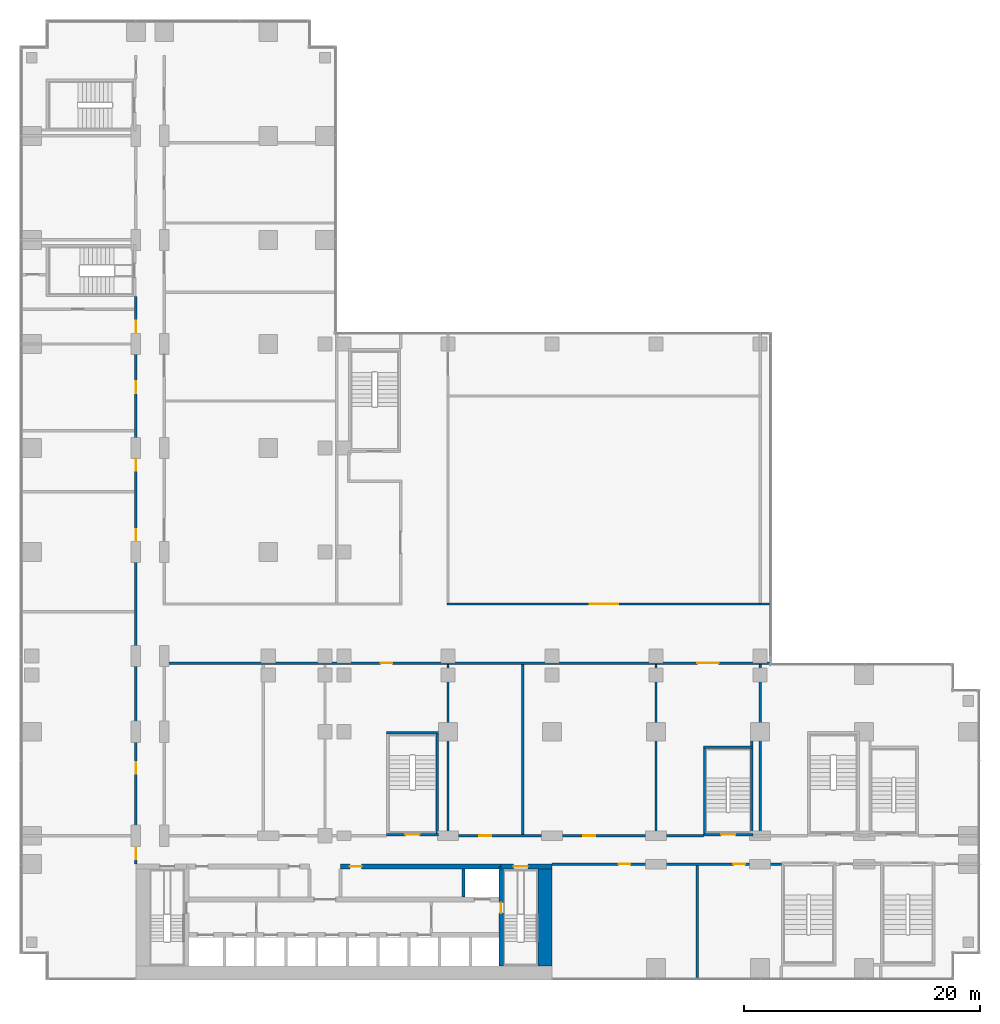
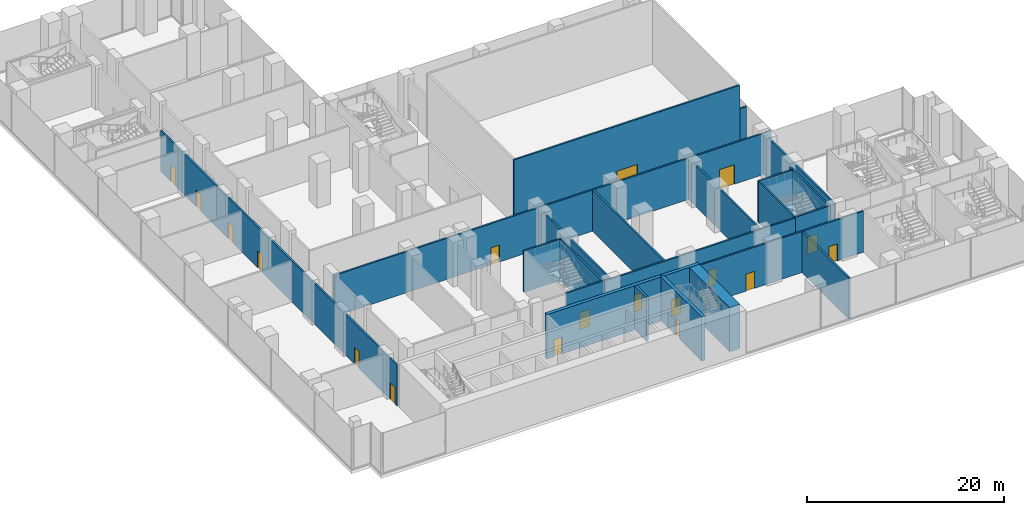
# One storey, part 19 of 30: 23 walls, 18 doors, 18 openings.
"""IFC4 building model written with IfcOpenShell, lengths in metres."""

import ifcopenshell
import ifcopenshell.guid

model = None  # the IFC model being written
_history = None  # IfcOwnerHistory: only IFC2X3 demands one
_inside = {}  # id of a spatial element -> (the spatial element, [elements in it])
_under = {}  # id of a project, library or spatial element -> (it, [spatial elements below it])
_declared = {}  # id of a project -> (the project, [libraries it declares])
_typed = {}  # id of a type object -> (the type object, [elements of that type])
_made_of = {}  # id of a material, layer set ... -> (it, [elements and type objects made of it])


def new_model(schema):
    """Start an empty IFC model of exactly this schema.

    Asked for "IFC4X3", IfcOpenShell would pick the latest addendum, in which some entities
    have other attributes; the version numbers below select the first issue.
    IFC2X3 requires an IfcOwnerHistory on every rooted entity: one is made here for all.
    """
    global model, _history
    if schema == "IFC4X3":
        model = ifcopenshell.file(schema_version=(4, 3, 0, 0))
    else:
        model = ifcopenshell.file(schema=schema)
    _inside.clear()
    _under.clear()
    _declared.clear()
    _typed.clear()
    _made_of.clear()
    _history = None
    if model.schema == "IFC2X3":
        org = make("IfcOrganization", Name="unknown")
        user = make(
            "IfcPersonAndOrganization",
            ThePerson=make("IfcPerson", FamilyName="unknown"),
            TheOrganization=org,
        )
        app = make(
            "IfcApplication",
            ApplicationDeveloper=org,
            Version="unknown",
            ApplicationFullName="unknown",
            ApplicationIdentifier="unknown",
        )
        _history = make(
            "IfcOwnerHistory",
            OwningUser=user,
            OwningApplication=app,
            ChangeAction="ADDED",
            CreationDate=0,
        )
    return model


def make(cls, **values):
    """One entity of the class cls with the attributes given. An attribute that is None is left unset."""
    return model.create_entity(
        cls, **{name: value for name, value in values.items() if value is not None}
    )


def rooted(cls, **values):
    """An entity with a GlobalId (a new one), such as an element, a storey or a relation."""
    return make(cls, GlobalId=ifcopenshell.guid.new(), OwnerHistory=_history, **values)


def si_unit(unit_type, name, prefix=None):
    """IfcSIUnit, for example si_unit("LENGTHUNIT", "METRE", prefix="MILLI")."""
    return make("IfcSIUnit", UnitType=unit_type, Prefix=prefix, Name=name)


def assignment(units):
    """IfcUnitAssignment: the units of a project."""
    return None if units is None else make("IfcUnitAssignment", Units=units)


def point(xyz):
    """IfcCartesianPoint."""
    return None if xyz is None else make("IfcCartesianPoint", Coordinates=xyz)


def direction(xyz):
    """IfcDirection."""
    return None if xyz is None else make("IfcDirection", DirectionRatios=xyz)


def frame(location, z_axis=None, x_axis=None):
    """IfcAxis2Placement3D, a coordinate frame: its origin and axes. An axis left out is left unset."""
    return make(
        "IfcAxis2Placement3D",
        Location=point(location),
        Axis=direction(z_axis),
        RefDirection=direction(x_axis),
    )


def frame_2d(location, x_axis=None):
    """IfcAxis2Placement2D, a coordinate frame in the plane: its origin and x axis."""
    return make(
        "IfcAxis2Placement2D", Location=point(location), RefDirection=direction(x_axis)
    )


def origin():
    """The frame at (0, 0, 0) with its axes left unset."""
    return frame((0.0, 0.0, 0.0))


def place(relative_to, where):
    """IfcLocalPlacement: puts the frame where relative to a parent placement (None: the world)."""
    return make(
        "IfcLocalPlacement", PlacementRelTo=relative_to, RelativePlacement=where
    )


def context(
    kind, dimensions, precision=None, world=None, true_north=None, identifier=None
):
    """IfcGeometricRepresentationContext, for example the 3D "Model" context."""
    return make(
        "IfcGeometricRepresentationContext",
        ContextIdentifier=identifier,
        ContextType=kind,
        CoordinateSpaceDimension=dimensions,
        Precision=precision,
        WorldCoordinateSystem=world,
        TrueNorth=true_north,
    )


def subcontext(parent, identifier, kind, view, scale=None):
    """IfcGeometricRepresentationSubContext, for example "Body" below "Model"."""
    return make(
        "IfcGeometricRepresentationSubContext",
        ContextIdentifier=identifier,
        ContextType=kind,
        ParentContext=parent,
        TargetScale=scale,
        TargetView=view,
    )


def project(units=None, contexts=None):
    """IfcProject with its units and contexts."""
    return rooted(
        "IfcProject",
        Name="project",
        RepresentationContexts=contexts,
        UnitsInContext=assignment(units),
    )


def spatial(cls, under=None, at=None, **own):
    """A site, building, storey or space (cls), placed at a placement, below another one or the project."""
    s = rooted(cls, ObjectPlacement=at, **own)
    if under is not None:
        _under.setdefault(under.id(), (under, []))[1].append(s)
    return s


def profile(cls, at=None, kind="AREA", **sizes):
    """A parametric profile (cls). Its sizes go by their IFC names, for example OverallWidth=200.0."""
    return make(cls, ProfileType=kind, Position=at, **sizes)


def rectangle(**sizes):
    """IfcRectangleProfileDef."""
    return profile("IfcRectangleProfileDef", **sizes)


def extrude(swept, where, along, depth):
    """IfcExtrudedAreaSolid: the profile swept, set in the frame where, extruded along a direction by depth."""
    return make(
        "IfcExtrudedAreaSolid",
        SweptArea=swept,
        Position=where,
        ExtrudedDirection=direction(along),
        Depth=depth,
    )


def shape(context_of_items, identifier, shape_type, items):
    """IfcShapeRepresentation: the items that make up one representation, for example the "Body"."""
    return make(
        "IfcShapeRepresentation",
        ContextOfItems=context_of_items,
        RepresentationIdentifier=identifier,
        RepresentationType=shape_type,
        Items=items,
    )


def material(Name=None, Category=None):
    """IfcMaterial."""
    return make("IfcMaterial", Name=Name, Category=Category)


def layer(
    of_material, thickness, ventilated=None, Name=None, Category=None, Priority=None
):
    """IfcMaterialLayer: one layer of a wall or slab, of a material (None: an air gap)."""
    return make(
        "IfcMaterialLayer",
        Material=of_material,
        LayerThickness=thickness,
        IsVentilated=ventilated,
        Name=Name,
        Category=Category,
        Priority=Priority,
    )


def layer_set(layers, Name=None):
    """IfcMaterialLayerSet."""
    return make("IfcMaterialLayerSet", MaterialLayers=layers, LayerSetName=Name)


def made_of(thing, what):
    """Note that an element or type object is made of a material, layer set ...; save() writes the relation."""
    if what is not None:
        _made_of.setdefault(what.id(), (what, []))[1].append(thing)
    return thing


def type_object(cls, material=None, **own):
    """A type object (cls), such as IfcWallType, which elements share."""
    return made_of(rooted(cls, **own), material)


def element(
    cls,
    number,
    at=None,
    inside=None,
    cuts=None,
    type_object=None,
    material=None,
    context=None,
    identifier="Body",
    shape_type=None,
    held_by="IfcProductDefinitionShape",
    body=None,
    shapes=None,
    **own,
):
    """One element of the class cls, such as IfcWall. Its Tag is "e" and its number.

    at: its placement. inside: the storey or other place that contains it. cuts: it is an
    opening in that element (IfcRelVoidsElement). A single representation is given by context,
    identifier, shape_type and body (its items); several are given by shapes. held_by: the class
    of the entity that holds the representations. save() writes the other relations.
    """
    e = rooted(cls, Tag="e%d" % number, ObjectPlacement=at, **own)
    if body is not None:
        shapes = [shape(context, identifier, shape_type, body)]
    if shapes is not None:
        e.Representation = make(held_by, Representations=shapes)
    if inside is not None:
        _inside.setdefault(inside.id(), (inside, []))[1].append(e)
    if cuts is not None:
        rooted(
            "IfcRelVoidsElement", RelatingBuildingElement=cuts, RelatedOpeningElement=e
        )
    if type_object is not None:
        _typed.setdefault(type_object.id(), (type_object, []))[1].append(e)
    return made_of(e, material)


def fill(opening, filler):
    """IfcRelFillsElement: the door or window that sits in an opening."""
    return rooted(
        "IfcRelFillsElement",
        RelatingOpeningElement=opening,
        RelatedBuildingElement=filler,
    )


def aggregate(whole, parts):
    """IfcRelAggregates: a whole, such as a stair, and the parts it consists of."""
    return rooted("IfcRelAggregates", RelatingObject=whole, RelatedObjects=parts)


def save(model, path):
    """Write the relations noted so far, then the file.

    IfcRelAggregates (storeys below a building ...), IfcRelContainedInSpatialStructure (elements
    in a storey), IfcRelDefinesByType, IfcRelAssociatesMaterial and IfcRelDeclares: one each for
    every whole, place, type object, material and project.
    """
    for whole, parts in _under.values():
        aggregate(whole, parts)
    for where, things in _inside.values():
        rooted(
            "IfcRelContainedInSpatialStructure",
            RelatedElements=things,
            RelatingStructure=where,
        )
    for kind, things in _typed.values():
        rooted("IfcRelDefinesByType", RelatedObjects=things, RelatingType=kind)
    for what, things in _made_of.values():
        rooted("IfcRelAssociatesMaterial", RelatedObjects=things, RelatingMaterial=what)
    for by, libraries in _declared.values():
        rooted("IfcRelDeclares", RelatingContext=by, RelatedDefinitions=libraries)
    model.write(path)


model = new_model("IFC4")

# Units and contexts
model_context = context("Model", 3, precision=1e-05, world=origin(), true_north=direction((0.0, 1.0)))
body_context = subcontext(model_context, "Body", "Model", "MODEL_VIEW")
ifc_project = project(units=[si_unit("LENGTHUNIT", "METRE"), si_unit("AREAUNIT", "SQUARE_METRE"), si_unit("VOLUMEUNIT", "CUBIC_METRE"), si_unit("PLANEANGLEUNIT", "RADIAN"), si_unit("MASSUNIT", "GRAM", prefix="KILO")], contexts=[model_context])

# Site, building, storey
site_placement = place(None, origin())
site = spatial("IfcSite", under=ifc_project, at=site_placement, CompositionType="ELEMENT")
building_placement = place(site_placement, origin())
building = spatial("IfcBuilding", under=site, at=building_placement, Name="Kemantara Hotel Tower", CompositionType="ELEMENT")
storey_placement = place(building_placement, frame((0.0, 0.0, 18.0)))
storey = spatial("IfcBuildingStorey", under=building, at=storey_placement, Name="L03", CompositionType="ELEMENT", Elevation=18.0)

# Walls
ifc_material_1 = material(Name="Concrete fc 70 MPa", Category="concrete")
ifc_layer_1 = layer(ifc_material_1, 1.199951171875)
ifc_layer_set_1 = layer_set([ifc_layer_1], Name="Concrete fc 70 MPa")
wall_type_1 = type_object("IfcWallType", Name="CORE WALL 1200 FC70", PredefinedType="SHEAR", material=ifc_layer_set_1)
wall_1_placement = place(storey_placement, frame((44.39990234375, 1.199951171875, 0.0), z_axis=(0.0, 0.0, 1.0), x_axis=(0.0, 1.0, 0.0)))
element("IfcWall", 1, at=wall_1_placement, inside=storey, type_object=wall_type_1, Name="CORE WALL CW-E", PredefinedType="SHEAR", context=body_context, shape_type="SweptSolid", body=[
    extrude(rectangle(XDim=8.60009765625, YDim=1.199951171875, at=frame_2d((4.300048828125, 0.0))), origin(), (0.0, 0.0, 1.0), 5.5),
])
ifc_layer_2 = layer(ifc_material_1, 0.25)
ifc_layer_set_2 = layer_set([ifc_layer_2], Name="Concrete fc 70 MPa")
wall_type_2 = type_object("IfcWallType", Name="CORE WALL 250 FC70", PredefinedType="SHEAR", material=ifc_layer_set_2)
wall_2_placement = place(storey_placement, frame((37.5, 7.0, 0.0), z_axis=(0.0, 0.0, 1.0), x_axis=(0.0, 1.0, 0.0)))
element("IfcWall", 2, at=wall_2_placement, inside=storey, type_object=wall_type_2, Name="CORE WALL CW-DN37.5", PredefinedType="SHEAR", context=body_context, shape_type="SweptSolid", body=[
    extrude(rectangle(XDim=2.39990234375, YDim=0.25, at=frame_2d((1.199951171875, 0.0))), origin(), (0.0, 0.0, 1.0), 5.5),
])

# Wall, opening, door
ifc_layer_3 = layer(ifc_material_1, 0.39990234375)
ifc_layer_set_3 = layer_set([ifc_layer_3], Name="Concrete fc 70 MPa")
wall_type_3 = type_object("IfcWallType", Name="CORE WALL 400 FC70", PredefinedType="SHEAR", material=ifc_layer_set_3)
wall_3_placement = place(storey_placement, frame((40.699951171875, 9.60009765625, 0.0), z_axis=(0.0, 0.0, 1.0), x_axis=(1.0, 0.0, 0.0)))
wall_3 = element("IfcWall", 3, at=wall_3_placement, inside=storey, type_object=wall_type_3, Name="CORE WALL CW-N2", PredefinedType="SHEAR", context=body_context, shape_type="SweptSolid", body=[
    extrude(rectangle(XDim=4.300048828125, YDim=0.39990234375, at=frame_2d((2.14990234375, 0.0))), origin(), (0.0, 0.0, 1.0), 5.5),
])
opening_1_placement = place(wall_3_placement, frame((1.050048828125, 0.0, 0.0)))
opening_1 = element("IfcOpeningElement", 4, at=opening_1_placement, cuts=wall_3, Name="Opening C06-ST2-C", PredefinedType="OPENING", context=body_context, shape_type="SweptSolid", body=[
    extrude(rectangle(XDim=1.199951171875, YDim=2.10009765625, at=frame_2d((0.60009765625, 1.050048828125))), frame((0.0, 0.2099609375, 0.0), z_axis=(0.0, -1.0, 0.0), x_axis=(1.0, 0.0, 0.0)), (0.0, 0.0, 1.0), 0.419921875),
])
ifc_material_2 = material(Name="Steel fire door", Category="steel")
door_type_1 = type_object("IfcDoorType", Name="Fire door FD90 1200 x 2100", OperationType="NOTDEFINED", PredefinedType="DOOR", material=ifc_material_2)
door_1_placement = place(opening_1_placement, frame((1.199951171875, 0.0, 0.0), z_axis=(0.0, 0.0, 1.0), x_axis=(-1.0, 0.0, 0.0)))
door_1 = element("IfcDoor", 5, at=door_1_placement, inside=storey, type_object=door_type_1, Name="Stair ST2 door to corridor", OperationType="SINGLE_SWING_RIGHT", OverallHeight=2.10009765625, OverallWidth=1.199951171875, PredefinedType="DOOR", context=body_context, shape_type="SweptSolid", body=[
    extrude(rectangle(XDim=1.199951171875, YDim=2.10009765625, at=frame_2d((0.60009765625, 1.050048828125))), frame((0.0, 0.02490234375, 0.0), z_axis=(0.0, -1.0, 0.0), x_axis=(1.0, 0.0, 0.0)), (0.0, 0.0, 1.0), 0.050048828125),
])
fill(opening_1, door_1)

wall_4_placement = place(storey_placement, frame((27.10009765625, 9.60009765625, 0.0), z_axis=(0.0, 0.0, 1.0), x_axis=(1.0, 0.0, 0.0)))
wall_4 = element("IfcWall", 6, at=wall_4_placement, inside=storey, type_object=wall_type_3, Name="CORE WALL CW-NN2", PredefinedType="SHEAR", context=body_context, shape_type="SweptSolid", body=[
    extrude(rectangle(XDim=13.599853515625, YDim=0.39990234375, at=frame_2d((6.7998046875, 0.0))), origin(), (0.0, 0.0, 1.0), 5.5),
])
opening_2_placement = place(wall_4_placement, frame((0.800048828125, 0.0, 0.0)))
opening_2 = element("IfcOpeningElement", 7, at=opening_2_placement, cuts=wall_4, Name="Opening C06-R-NE1", PredefinedType="OPENING", context=body_context, shape_type="SweptSolid", body=[
    extrude(rectangle(XDim=1.0, YDim=2.10009765625, at=frame_2d((0.5, 1.050048828125))), frame((0.0, 0.2099609375, 0.0), z_axis=(0.0, -1.0, 0.0), x_axis=(1.0, 0.0, 0.0)), (0.0, 0.0, 1.0), 0.419921875),
])
door_type_2 = type_object("IfcDoorType", Name="Fire door FD30S 1000 x 2100", OperationType="NOTDEFINED", PredefinedType="DOOR", material=ifc_material_2)
door_2_placement = place(opening_2_placement, frame((1.0, 0.0, 0.0), z_axis=(0.0, 0.0, 1.0), x_axis=(-1.0, 0.0, 0.0)))
door_2 = element("IfcDoor", 8, at=door_2_placement, inside=storey, type_object=door_type_2, Name="Housekeeping Store door", OperationType="SINGLE_SWING_RIGHT", OverallHeight=2.10009765625, OverallWidth=1.0, PredefinedType="DOOR", context=body_context, shape_type="SweptSolid", body=[
    extrude(rectangle(XDim=1.0, YDim=2.10009765625, at=frame_2d((0.5, 1.050048828125))), frame((0.0, 0.02490234375, 0.0), z_axis=(0.0, -1.0, 0.0), x_axis=(1.0, 0.0, 0.0)), (0.0, 0.0, 1.0), 0.050048828125),
])
fill(opening_2, door_2)

wall_5_placement = place(storey_placement, frame((40.699951171875, 1.199951171875, 0.0), z_axis=(0.0, 0.0, 1.0), x_axis=(0.0, 1.0, 0.0)))
wall_5 = element("IfcWall", 9, at=wall_5_placement, inside=storey, type_object=wall_type_3, Name="CORE WALL CW-ST2W", PredefinedType="SHEAR", context=body_context, shape_type="SweptSolid", body=[
    extrude(rectangle(XDim=8.400146484375, YDim=0.39990234375, at=frame_2d((4.2001953125, 0.0))), origin(), (0.0, 0.0, 1.0), 5.5),
])
opening_3_placement = place(wall_5_placement, frame((4.449951171875, 0.0, 0.0)))
opening_3 = element("IfcOpeningElement", 10, at=opening_3_placement, cuts=wall_5, Name="Opening C06-ST2-F", PredefinedType="OPENING", context=body_context, shape_type="SweptSolid", body=[
    extrude(rectangle(XDim=0.89990234375, YDim=2.10009765625, at=frame_2d((0.449951171875, 1.050048828125))), frame((0.0, 0.2099609375, 0.0), z_axis=(0.0, -1.0, 0.0), x_axis=(1.0, 0.0, 0.0)), (0.0, 0.0, 1.0), 0.419921875),
])
door_type_3 = type_object("IfcDoorType", Name="Fire door FD90 900 x 2100", OperationType="NOTDEFINED", PredefinedType="DOOR", material=ifc_material_2)
door_3_placement = place(opening_3_placement, frame((0.89990234375, 0.0, 0.0), z_axis=(0.0, 0.0, 1.0), x_axis=(-1.0, 0.0, 0.0)))
door_3 = element("IfcDoor", 11, at=door_3_placement, inside=storey, type_object=door_type_3, Name="Stair ST2 door to firefighting lobby", OperationType="SINGLE_SWING_LEFT", OverallHeight=2.10009765625, OverallWidth=0.89990234375, PredefinedType="DOOR", context=body_context, shape_type="SweptSolid", body=[
    extrude(rectangle(XDim=0.89990234375, YDim=2.10009765625, at=frame_2d((0.449951171875, 1.050048828125))), frame((0.0, 0.02490234375, 0.0), z_axis=(0.0, -1.0, 0.0), x_axis=(1.0, 0.0, 0.0)), (0.0, 0.0, 1.0), 0.050048828125),
])
fill(opening_3, door_3)

ifc_material_3 = material(Name="Concrete fc 40 MPa", Category="concrete")
ifc_layer_4 = layer(ifc_material_3, 0.199951171875)
ifc_layer_set_4 = layer_set([ifc_layer_4], Name="Concrete fc 40 MPa")
wall_type_4 = type_object("IfcWallType", Name="Concrete stair wall 200 mm", PredefinedType="SHEAR", material=ifc_layer_set_4)
wall_6_placement = place(storey_placement, frame((57.800048828125, 12.300048828125, 0.0), z_axis=(0.0, 0.0, 1.0), x_axis=(1.0, 0.0, 0.0)))
wall_6 = element("IfcWall", 12, at=wall_6_placement, inside=storey, type_object=wall_type_4, Name="Stair ST3 enclosure wall with door", PredefinedType="SHEAR", context=body_context, shape_type="SweptSolid", body=[
    extrude(rectangle(XDim=4.199951171875, YDim=0.199951171875, at=frame_2d((2.10009765625, 0.0))), origin(), (0.0, 0.0, 1.0), 5.10009765625),
])
opening_4_placement = place(wall_6_placement, frame((1.5, 0.0, 0.0)))
opening_4 = element("IfcOpeningElement", 13, at=opening_4_placement, cuts=wall_6, Name="Opening ST3-C", PredefinedType="OPENING", context=body_context, shape_type="SweptSolid", body=[
    extrude(rectangle(XDim=1.199951171875, YDim=2.10009765625, at=frame_2d((0.60009765625, 1.050048828125))), frame((0.0, 0.10986328125, 0.0), z_axis=(0.0, -1.0, 0.0), x_axis=(1.0, 0.0, 0.0)), (0.0, 0.0, 1.0), 0.219970703125),
])
door_4_placement = place(opening_4_placement, origin())
door_4 = element("IfcDoor", 14, at=door_4_placement, inside=storey, type_object=door_type_1, Name="Stair ST3 door", OperationType="SINGLE_SWING_RIGHT", OverallHeight=2.10009765625, OverallWidth=1.199951171875, PredefinedType="DOOR", context=body_context, shape_type="SweptSolid", body=[
    extrude(rectangle(XDim=1.199951171875, YDim=2.10009765625, at=frame_2d((0.60009765625, 1.050048828125))), frame((0.0, 0.02490234375, 0.0), z_axis=(0.0, -1.0, 0.0), x_axis=(1.0, 0.0, 0.0)), (0.0, 0.0, 1.0), 0.050048828125),
])
fill(opening_4, door_4)

# Walls
wall_7_placement = place(storey_placement, frame((57.800048828125, 19.699951171875, 0.0), z_axis=(0.0, 0.0, 1.0), x_axis=(1.0, 0.0, 0.0)))
element("IfcWall", 15, at=wall_7_placement, inside=storey, type_object=wall_type_4, Name="Stair ST3 enclosure wall N", PredefinedType="SHEAR", context=body_context, shape_type="SweptSolid", body=[
    extrude(rectangle(XDim=4.199951171875, YDim=0.199951171875, at=frame_2d((2.10009765625, 0.0))), origin(), (0.0, 0.0, 1.0), 5.10009765625),
])
wall_8_placement = place(storey_placement, frame((57.89990234375, 12.39990234375, 0.0), z_axis=(0.0, 0.0, 1.0), x_axis=(0.0, 1.0, 0.0)))
element("IfcWall", 16, at=wall_8_placement, inside=storey, type_object=wall_type_4, Name="Stair ST3 enclosure wall W", PredefinedType="SHEAR", context=body_context, shape_type="SweptSolid", body=[
    extrude(rectangle(XDim=7.2001953125, YDim=0.199951171875, at=frame_2d((3.60009765625, 0.0))), origin(), (0.0, 0.0, 1.0), 5.10009765625),
])
wall_9_placement = place(storey_placement, frame((61.89990234375, 12.39990234375, 0.0), z_axis=(0.0, 0.0, 1.0), x_axis=(0.0, 1.0, 0.0)))
element("IfcWall", 17, at=wall_9_placement, inside=storey, type_object=wall_type_4, Name="Stair ST3 enclosure wall E", PredefinedType="SHEAR", context=body_context, shape_type="SweptSolid", body=[
    extrude(rectangle(XDim=7.800048828125, YDim=0.199951171875, at=frame_2d((3.89990234375, 0.0))), origin(), (0.0, 0.0, 1.0), 5.10009765625),
])

# Wall, opening, door
wall_10_placement = place(storey_placement, frame((31.0, 12.300048828125, 0.0), z_axis=(0.0, 0.0, 1.0), x_axis=(1.0, 0.0, 0.0)))
wall_10 = element("IfcWall", 18, at=wall_10_placement, inside=storey, type_object=wall_type_4, Name="Stair PS3 enclosure wall with door", PredefinedType="SHEAR", context=body_context, shape_type="SweptSolid", body=[
    extrude(rectangle(XDim=4.39990234375, YDim=0.199951171875, at=frame_2d((2.199951171875, 0.0))), origin(), (0.0, 0.0, 1.0), 5.10009765625),
])
opening_5_placement = place(wall_10_placement, frame((1.60009765625, 0.0, 0.0)))
opening_5 = element("IfcOpeningElement", 19, at=opening_5_placement, cuts=wall_10, Name="Opening PS3-C", PredefinedType="OPENING", context=body_context, shape_type="SweptSolid", body=[
    extrude(rectangle(XDim=1.199951171875, YDim=2.10009765625, at=frame_2d((0.60009765625, 1.050048828125))), frame((0.0, 0.10986328125, 0.0), z_axis=(0.0, -1.0, 0.0), x_axis=(1.0, 0.0, 0.0)), (0.0, 0.0, 1.0), 0.219970703125),
])
door_5_placement = place(opening_5_placement, origin())
door_5 = element("IfcDoor", 20, at=door_5_placement, inside=storey, type_object=door_type_1, Name="Stair PS3 door", OperationType="SINGLE_SWING_LEFT", OverallHeight=2.10009765625, OverallWidth=1.199951171875, PredefinedType="DOOR", context=body_context, shape_type="SweptSolid", body=[
    extrude(rectangle(XDim=1.199951171875, YDim=2.10009765625, at=frame_2d((0.60009765625, 1.050048828125))), frame((0.0, 0.02490234375, 0.0), z_axis=(0.0, -1.0, 0.0), x_axis=(1.0, 0.0, 0.0)), (0.0, 0.0, 1.0), 0.050048828125),
])
fill(opening_5, door_5)

# Walls
wall_11_placement = place(storey_placement, frame((31.0, 20.89990234375, 0.0), z_axis=(0.0, 0.0, 1.0), x_axis=(1.0, 0.0, 0.0)))
element("IfcWall", 21, at=wall_11_placement, inside=storey, type_object=wall_type_4, Name="Stair PS3 enclosure wall N", PredefinedType="SHEAR", context=body_context, shape_type="SweptSolid", body=[
    extrude(rectangle(XDim=4.39990234375, YDim=0.199951171875, at=frame_2d((2.199951171875, 0.0))), origin(), (0.0, 0.0, 1.0), 5.10009765625),
])
wall_12_placement = place(storey_placement, frame((35.300048828125, 12.39990234375, 0.0), z_axis=(0.0, 0.0, 1.0), x_axis=(0.0, 1.0, 0.0)))
element("IfcWall", 22, at=wall_12_placement, inside=storey, type_object=wall_type_4, Name="Stair PS3 enclosure wall E", PredefinedType="SHEAR", context=body_context, shape_type="SweptSolid", body=[
    extrude(rectangle(XDim=8.400146484375, YDim=0.199951171875, at=frame_2d((4.2001953125, 0.0))), origin(), (0.0, 0.0, 1.0), 5.10009765625),
])
ifc_material_4 = material(Name="Clay brick masonry", Category="masonry")
ifc_layer_5 = layer(ifc_material_4, 0.199951171875)
ifc_layer_set_5 = layer_set([ifc_layer_5], Name="Clay brick masonry")
wall_type_5 = type_object("IfcWallType", Name="FIRE-RATED CLAY BRICK WALL 200 EI 120", PredefinedType="PARTITIONING", material=ifc_layer_set_5)
wall_13_placement = place(storey_placement, frame((62.60009765625, 31.800048828125, 0.0), z_axis=(0.0, 0.0, 1.0), x_axis=(1.0, 0.0, 0.0)))
element("IfcWall", 23, at=wall_13_placement, inside=storey, type_object=wall_type_5, Name="FIRE WALL", PredefinedType="PARTITIONING", context=body_context, shape_type="SweptSolid", body=[
    extrude(rectangle(XDim=0.7998046875, YDim=0.199951171875, at=frame_2d((0.39990234375, 0.0))), origin(), (0.0, 0.0, 1.0), 5.10009765625),
])

# Wall, openings, doors
ifc_material_5 = material(Name="Fire-rated gypsum board partition")
ifc_layer_6 = layer(ifc_material_5, 0.199951171875)
ifc_layer_set_6 = layer_set([ifc_layer_6], Name="Fire-rated gypsum board partition")
wall_type_6 = type_object("IfcWallType", Name="FIRE-RATED GYPSUM PARTITION 200 EI 60", PredefinedType="PARTITIONING", material=ifc_layer_set_6)
wall_14_placement = place(storey_placement, frame((45.0, 9.800048828125, 0.0), z_axis=(0.0, 0.0, 1.0), x_axis=(1.0, 0.0, 0.0)))
wall_14 = element("IfcWall", 24, at=wall_14_placement, inside=storey, type_object=wall_type_6, Name="FIRE-RATED PARTITION", PredefinedType="PARTITIONING", context=body_context, shape_type="SweptSolid", body=[
    extrude(rectangle(XDim=19.39990234375, YDim=0.199951171875, at=frame_2d((9.699951171875, 0.0))), origin(), (0.0, 0.0, 1.0), 5.10009765625),
])
opening_6_placement = place(wall_14_placement, frame((5.635009765625, 0.0, 0.0)))
opening_6 = element("IfcOpeningElement", 25, at=opening_6_placement, cuts=wall_14, Name="Opening L03-B003", PredefinedType="OPENING", context=body_context, shape_type="SweptSolid", body=[
    extrude(rectangle(XDim=1.0, YDim=2.10009765625, at=frame_2d((0.5, 1.050048828125))), frame((0.0, 0.10986328125, 0.0), z_axis=(0.0, -1.0, 0.0), x_axis=(1.0, 0.0, 0.0)), (0.0, 0.0, 1.0), 0.219970703125),
])
opening_7_placement = place(wall_14_placement, frame((15.3349609375, 0.0, 0.0)))
opening_7 = element("IfcOpeningElement", 26, at=opening_7_placement, cuts=wall_14, Name="Opening L03-B004", PredefinedType="OPENING", context=body_context, shape_type="SweptSolid", body=[
    extrude(rectangle(XDim=1.0, YDim=2.10009765625, at=frame_2d((0.5, 1.050048828125))), frame((0.0, 0.10986328125, 0.0), z_axis=(0.0, -1.0, 0.0), x_axis=(1.0, 0.0, 0.0)), (0.0, 0.0, 1.0), 0.219970703125),
])
ifc_material_6 = material(Name="Timber veneer door leaf", Category="wood")
door_type_4 = type_object("IfcDoorType", Name="SINGLE LEAF TIMBER DOOR 1000 X 2100", OperationType="SINGLE_SWING_LEFT", PredefinedType="DOOR", material=ifc_material_6)
door_6_placement = place(opening_6_placement, frame((1.0, 0.0, 0.0), z_axis=(0.0, 0.0, 1.0), x_axis=(-1.0, 0.0, 0.0)))
door_6 = element("IfcDoor", 27, at=door_6_placement, inside=storey, type_object=door_type_4, Name="SINGLE LEAF TIMBER DOOR", OperationType="SINGLE_SWING_RIGHT", OverallHeight=2.10009765625, OverallWidth=1.0, PredefinedType="DOOR", context=body_context, shape_type="SweptSolid", body=[
    extrude(rectangle(XDim=1.0, YDim=2.10009765625, at=frame_2d((0.5, 1.050048828125))), frame((0.0, 0.02490234375, 0.0), z_axis=(0.0, -1.0, 0.0), x_axis=(1.0, 0.0, 0.0)), (0.0, 0.0, 1.0), 0.050048828125),
])
fill(opening_6, door_6)
door_7_placement = place(opening_7_placement, frame((1.0, 0.0, 0.0), z_axis=(0.0, 0.0, 1.0), x_axis=(-1.0, 0.0, 0.0)))
door_7 = element("IfcDoor", 28, at=door_7_placement, inside=storey, type_object=door_type_4, Name="SINGLE LEAF TIMBER DOOR", OperationType="SINGLE_SWING_LEFT", OverallHeight=2.10009765625, OverallWidth=1.0, PredefinedType="DOOR", context=body_context, shape_type="SweptSolid", body=[
    extrude(rectangle(XDim=1.0, YDim=2.10009765625, at=frame_2d((0.5, 1.050048828125))), frame((0.0, 0.02490234375, 0.0), z_axis=(0.0, -1.0, 0.0), x_axis=(1.0, 0.0, 0.0)), (0.0, 0.0, 1.0), 0.050048828125),
])
fill(opening_7, door_7)

wall_15_placement = place(storey_placement, frame((35.39990234375, 12.199951171875, 0.0), z_axis=(0.0, 0.0, 1.0), x_axis=(1.0, 0.0, 0.0)))
wall_15 = element("IfcWall", 29, at=wall_15_placement, inside=storey, type_object=wall_type_6, Name="FIRE-RATED PARTITION", PredefinedType="PARTITIONING", context=body_context, shape_type="SweptSolid", body=[
    extrude(rectangle(XDim=22.400146484375, YDim=0.199951171875, at=frame_2d((11.2001953125, 0.0))), origin(), (0.0, 0.0, 1.0), 5.10009765625),
])
opening_8_placement = place(wall_15_placement, frame((3.4599609375, 0.0, 0.0)))
opening_8 = element("IfcOpeningElement", 30, at=opening_8_placement, cuts=wall_15, Name="Opening L03-B023", PredefinedType="OPENING", context=body_context, shape_type="SweptSolid", body=[
    extrude(rectangle(XDim=1.0, YDim=2.10009765625, at=frame_2d((0.5, 1.050048828125))), frame((0.0, 0.10986328125, 0.0), z_axis=(0.0, -1.0, 0.0), x_axis=(1.0, 0.0, 0.0)), (0.0, 0.0, 1.0), 0.219970703125),
])
opening_9_placement = place(wall_15_placement, frame((12.260009765625, 0.0, 0.0)))
opening_9 = element("IfcOpeningElement", 31, at=opening_9_placement, cuts=wall_15, Name="Opening L03-B024", PredefinedType="OPENING", context=body_context, shape_type="SweptSolid", body=[
    extrude(rectangle(XDim=1.0, YDim=2.10009765625, at=frame_2d((0.5, 1.050048828125))), frame((0.0, 0.10986328125, 0.0), z_axis=(0.0, -1.0, 0.0), x_axis=(1.0, 0.0, 0.0)), (0.0, 0.0, 1.0), 0.219970703125),
])
door_8_placement = place(opening_8_placement, origin())
door_8 = element("IfcDoor", 32, at=door_8_placement, inside=storey, type_object=door_type_4, Name="SINGLE LEAF TIMBER DOOR", OperationType="SINGLE_SWING_LEFT", OverallHeight=2.10009765625, OverallWidth=1.0, PredefinedType="DOOR", context=body_context, shape_type="SweptSolid", body=[
    extrude(rectangle(XDim=1.0, YDim=2.10009765625, at=frame_2d((0.5, 1.050048828125))), frame((0.0, 0.02490234375, 0.0), z_axis=(0.0, -1.0, 0.0), x_axis=(1.0, 0.0, 0.0)), (0.0, 0.0, 1.0), 0.050048828125),
])
fill(opening_8, door_8)
door_9_placement = place(opening_9_placement, origin())
door_9 = element("IfcDoor", 33, at=door_9_placement, inside=storey, type_object=door_type_4, Name="SINGLE LEAF TIMBER DOOR", OperationType="SINGLE_SWING_RIGHT", OverallHeight=2.10009765625, OverallWidth=1.0, PredefinedType="DOOR", context=body_context, shape_type="SweptSolid", body=[
    extrude(rectangle(XDim=1.0, YDim=2.10009765625, at=frame_2d((0.5, 1.050048828125))), frame((0.0, 0.02490234375, 0.0), z_axis=(0.0, -1.0, 0.0), x_axis=(1.0, 0.0, 0.0)), (0.0, 0.0, 1.0), 0.050048828125),
])
fill(opening_9, door_9)

wall_16_placement = place(storey_placement, frame((9.800048828125, 9.800048828125, 0.0), z_axis=(0.0, 0.0, 1.0), x_axis=(0.0, 1.0, 0.0)))
wall_16 = element("IfcWall", 34, at=wall_16_placement, inside=storey, type_object=wall_type_6, Name="FIRE-RATED PARTITION", PredefinedType="PARTITIONING", context=body_context, shape_type="SweptSolid", body=[
    extrude(rectangle(XDim=48.0, YDim=0.199951171875, at=frame_2d((24.0, 0.0))), origin(), (0.0, 0.0, 1.0), 5.10009765625),
])
opening_10_placement = place(wall_16_placement, frame((7.635009765625, 0.0, 0.0)))
opening_10 = element("IfcOpeningElement", 35, at=opening_10_placement, cuts=wall_16, Name="Opening L03-B007", PredefinedType="OPENING", context=body_context, shape_type="SweptSolid", body=[
    extrude(rectangle(XDim=1.0, YDim=2.10009765625, at=frame_2d((0.5, 1.050048828125))), frame((0.0, 0.10986328125, 0.0), z_axis=(0.0, -1.0, 0.0), x_axis=(1.0, 0.0, 0.0)), (0.0, 0.0, 1.0), 0.219970703125),
])
opening_11_placement = place(wall_16_placement, frame((27.3349609375, 0.0, 0.0)))
opening_11 = element("IfcOpeningElement", 36, at=opening_11_placement, cuts=wall_16, Name="Opening L03-B008", PredefinedType="OPENING", context=body_context, shape_type="SweptSolid", body=[
    extrude(rectangle(XDim=1.0, YDim=2.10009765625, at=frame_2d((0.5, 1.050048828125))), frame((0.0, 0.10986328125, 0.0), z_axis=(0.0, -1.0, 0.0), x_axis=(1.0, 0.0, 0.0)), (0.0, 0.0, 1.0), 0.219970703125),
])
opening_12_placement = place(wall_16_placement, frame((33.280029296875, 0.0, 0.0)))
opening_12 = element("IfcOpeningElement", 37, at=opening_12_placement, cuts=wall_16, Name="Opening L03-B009", PredefinedType="OPENING", context=body_context, shape_type="SweptSolid", body=[
    extrude(rectangle(XDim=1.0, YDim=2.10009765625, at=frame_2d((0.5, 1.050048828125))), frame((0.0, 0.10986328125, 0.0), z_axis=(0.0, -1.0, 0.0), x_axis=(1.0, 0.0, 0.0)), (0.0, 0.0, 1.0), 0.219970703125),
])
opening_13_placement = place(wall_16_placement, frame((39.824951171875, 0.0, 0.0)))
opening_13 = element("IfcOpeningElement", 38, at=opening_13_placement, cuts=wall_16, Name="Opening L03-B010", PredefinedType="OPENING", context=body_context, shape_type="SweptSolid", body=[
    extrude(rectangle(XDim=1.0, YDim=2.10009765625, at=frame_2d((0.5, 1.050048828125))), frame((0.0, 0.10986328125, 0.0), z_axis=(0.0, -1.0, 0.0), x_axis=(1.0, 0.0, 0.0)), (0.0, 0.0, 1.0), 0.219970703125),
])
opening_14_placement = place(wall_16_placement, frame((44.966796875, 0.0, 0.0)))
opening_14 = element("IfcOpeningElement", 39, at=opening_14_placement, cuts=wall_16, Name="Opening L03-B011", PredefinedType="OPENING", context=body_context, shape_type="SweptSolid", body=[
    extrude(rectangle(XDim=1.0, YDim=2.10009765625, at=frame_2d((0.5, 1.050048828125))), frame((0.0, 0.10986328125, 0.0), z_axis=(0.0, -1.0, 0.0), x_axis=(1.0, 0.0, 0.0)), (0.0, 0.0, 1.0), 0.219970703125),
])
opening_15_placement = place(wall_16_placement, frame((0.39990234375, 0.0, 0.0)))
opening_15 = element("IfcOpeningElement", 40, at=opening_15_placement, cuts=wall_16, Name="Opening L03-B019", PredefinedType="OPENING", context=body_context, shape_type="SweptSolid", body=[
    extrude(rectangle(XDim=1.0, YDim=2.10009765625, at=frame_2d((0.5, 1.050048828125))), frame((0.0, 0.10986328125, 0.0), z_axis=(0.0, -1.0, 0.0), x_axis=(1.0, 0.0, 0.0)), (0.0, 0.0, 1.0), 0.219970703125),
])
ifc_material_7 = material(Name="Galvanised steel door leaf", Category="steel")
door_type_5 = type_object("IfcDoorType", Name="FIRE-RATED STEEL DOOR 1000 X 2100", OperationType="SINGLE_SWING_LEFT", PredefinedType="DOOR", material=ifc_material_7)
door_10_placement = place(opening_15_placement, frame((1.0, 0.0, 0.0), z_axis=(0.0, 0.0, 1.0), x_axis=(-1.0, 0.0, 0.0)))
door_10 = element("IfcDoor", 41, at=door_10_placement, inside=storey, type_object=door_type_5, Name="FIRE-RATED STEEL DOOR", OperationType="SINGLE_SWING_RIGHT", OverallHeight=2.10009765625, OverallWidth=1.0, PredefinedType="DOOR", context=body_context, shape_type="SweptSolid", body=[
    extrude(rectangle(XDim=1.0, YDim=2.10009765625, at=frame_2d((0.5, 1.050048828125))), frame((0.0, 0.02490234375, 0.0), z_axis=(0.0, -1.0, 0.0), x_axis=(1.0, 0.0, 0.0)), (0.0, 0.0, 1.0), 0.050048828125),
])
fill(opening_15, door_10)
door_11_placement = place(opening_10_placement, origin())
door_11 = element("IfcDoor", 42, at=door_11_placement, inside=storey, type_object=door_type_4, Name="SINGLE LEAF TIMBER DOOR", OperationType="SINGLE_SWING_LEFT", OverallHeight=2.10009765625, OverallWidth=1.0, PredefinedType="DOOR", context=body_context, shape_type="SweptSolid", body=[
    extrude(rectangle(XDim=1.0, YDim=2.10009765625, at=frame_2d((0.5, 1.050048828125))), frame((0.0, 0.02490234375, 0.0), z_axis=(0.0, -1.0, 0.0), x_axis=(1.0, 0.0, 0.0)), (0.0, 0.0, 1.0), 0.050048828125),
])
fill(opening_10, door_11)
door_12_placement = place(opening_11_placement, origin())
door_12 = element("IfcDoor", 43, at=door_12_placement, inside=storey, type_object=door_type_4, Name="SINGLE LEAF TIMBER DOOR", OperationType="SINGLE_SWING_RIGHT", OverallHeight=2.10009765625, OverallWidth=1.0, PredefinedType="DOOR", context=body_context, shape_type="SweptSolid", body=[
    extrude(rectangle(XDim=1.0, YDim=2.10009765625, at=frame_2d((0.5, 1.050048828125))), frame((0.0, 0.02490234375, 0.0), z_axis=(0.0, -1.0, 0.0), x_axis=(1.0, 0.0, 0.0)), (0.0, 0.0, 1.0), 0.050048828125),
])
fill(opening_11, door_12)
door_13_placement = place(opening_12_placement, origin())
door_13 = element("IfcDoor", 44, at=door_13_placement, inside=storey, type_object=door_type_4, Name="SINGLE LEAF TIMBER DOOR", OperationType="SINGLE_SWING_LEFT", OverallHeight=2.10009765625, OverallWidth=1.0, PredefinedType="DOOR", context=body_context, shape_type="SweptSolid", body=[
    extrude(rectangle(XDim=1.0, YDim=2.10009765625, at=frame_2d((0.5, 1.050048828125))), frame((0.0, 0.02490234375, 0.0), z_axis=(0.0, -1.0, 0.0), x_axis=(1.0, 0.0, 0.0)), (0.0, 0.0, 1.0), 0.050048828125),
])
fill(opening_12, door_13)
door_14_placement = place(opening_13_placement, origin())
door_14 = element("IfcDoor", 45, at=door_14_placement, inside=storey, type_object=door_type_4, Name="SINGLE LEAF TIMBER DOOR", OperationType="SINGLE_SWING_RIGHT", OverallHeight=2.10009765625, OverallWidth=1.0, PredefinedType="DOOR", context=body_context, shape_type="SweptSolid", body=[
    extrude(rectangle(XDim=1.0, YDim=2.10009765625, at=frame_2d((0.5, 1.050048828125))), frame((0.0, 0.02490234375, 0.0), z_axis=(0.0, -1.0, 0.0), x_axis=(1.0, 0.0, 0.0)), (0.0, 0.0, 1.0), 0.050048828125),
])
fill(opening_13, door_14)
door_15_placement = place(opening_14_placement, origin())
door_15 = element("IfcDoor", 46, at=door_15_placement, inside=storey, type_object=door_type_4, Name="SINGLE LEAF TIMBER DOOR", OperationType="SINGLE_SWING_RIGHT", OverallHeight=2.10009765625, OverallWidth=1.0, PredefinedType="DOOR", context=body_context, shape_type="SweptSolid", body=[
    extrude(rectangle(XDim=1.0, YDim=2.10009765625, at=frame_2d((0.5, 1.050048828125))), frame((0.0, 0.02490234375, 0.0), z_axis=(0.0, -1.0, 0.0), x_axis=(1.0, 0.0, 0.0)), (0.0, 0.0, 1.0), 0.050048828125),
])
fill(opening_14, door_15)

ifc_material_8 = material(Name="Gypsum board partition")
ifc_layer_7 = layer(ifc_material_8, 0.199951171875)
ifc_layer_set_7 = layer_set([ifc_layer_7], Name="Gypsum board partition")
wall_type_7 = type_object("IfcWallType", Name="GYPSUM BOARD PARTITION 200", PredefinedType="PARTITIONING", material=ifc_layer_set_7)
wall_17_placement = place(storey_placement, frame((12.10009765625, 26.800048828125, 0.0), z_axis=(0.0, 0.0, 1.0), x_axis=(1.0, 0.0, 0.0)))
wall_17 = element("IfcWall", 47, at=wall_17_placement, inside=storey, type_object=wall_type_7, Name="PARTITION", PredefinedType="PARTITIONING", context=body_context, shape_type="SweptSolid", body=[
    extrude(rectangle(XDim=51.2998046875, YDim=0.199951171875, at=frame_2d((25.64990234375, 0.0))), origin(), (0.0, 0.0, 1.0), 5.10009765625),
])
opening_16_placement = place(wall_17_placement, frame((18.39990234375, 0.0, 0.0)))
opening_16 = element("IfcOpeningElement", 48, at=opening_16_placement, cuts=wall_17, Name="Opening L03-B022", PredefinedType="OPENING", context=body_context, shape_type="SweptSolid", body=[
    extrude(rectangle(XDim=1.0, YDim=2.10009765625, at=frame_2d((0.5, 1.050048828125))), frame((0.0, 0.10986328125, 0.0), z_axis=(0.0, -1.0, 0.0), x_axis=(1.0, 0.0, 0.0)), (0.0, 0.0, 1.0), 0.219970703125),
])
opening_17_placement = place(wall_17_placement, frame((45.199951171875, 0.0, 0.0)))
opening_17 = element("IfcOpeningElement", 49, at=opening_17_placement, cuts=wall_17, Name="Opening L03-B025", PredefinedType="OPENING", context=body_context, shape_type="SweptSolid", body=[
    extrude(rectangle(XDim=1.800048828125, YDim=2.39990234375, at=frame_2d((0.89990234375, 1.199951171875))), frame((0.0, 0.10986328125, 0.0), z_axis=(0.0, -1.0, 0.0), x_axis=(1.0, 0.0, 0.0)), (0.0, 0.0, 1.0), 0.219970703125),
])
ifc_material_9 = material(Name="Toughened glass door leaf", Category="glass")
door_type_6 = type_object("IfcDoorType", Name="GLAZED DOUBLE DOOR 1800 X 2400", OperationType="DOUBLE_DOOR_SINGLE_SWING", PredefinedType="DOOR", material=ifc_material_9)
door_16_placement = place(opening_17_placement, frame((1.800048828125, 0.0, 0.0), z_axis=(0.0, 0.0, 1.0), x_axis=(-1.0, 0.0, 0.0)))
door_16 = element("IfcDoor", 50, at=door_16_placement, inside=storey, type_object=door_type_6, Name="GLAZED DOUBLE DOOR", OperationType="DOUBLE_DOOR_SINGLE_SWING", OverallHeight=2.39990234375, OverallWidth=1.800048828125, PredefinedType="DOOR", context=body_context, shape_type="SweptSolid", body=[
    extrude(rectangle(XDim=1.800048828125, YDim=2.39990234375, at=frame_2d((0.89990234375, 1.199951171875))), frame((0.0, 0.02490234375, 0.0), z_axis=(0.0, -1.0, 0.0), x_axis=(1.0, 0.0, 0.0)), (0.0, 0.0, 1.0), 0.050048828125),
])
fill(opening_17, door_16)
door_17_placement = place(opening_16_placement, frame((1.0, 0.0, 0.0), z_axis=(0.0, 0.0, 1.0), x_axis=(-1.0, 0.0, 0.0)))
door_17 = element("IfcDoor", 51, at=door_17_placement, inside=storey, type_object=door_type_4, Name="SINGLE LEAF TIMBER DOOR", OperationType="SINGLE_SWING_RIGHT", OverallHeight=2.10009765625, OverallWidth=1.0, PredefinedType="DOOR", context=body_context, shape_type="SweptSolid", body=[
    extrude(rectangle(XDim=1.0, YDim=2.10009765625, at=frame_2d((0.5, 1.050048828125))), frame((0.0, 0.02490234375, 0.0), z_axis=(0.0, -1.0, 0.0), x_axis=(1.0, 0.0, 0.0)), (0.0, 0.0, 1.0), 0.050048828125),
])
fill(opening_16, door_17)

# Wall, opening, door
wall_18_placement = place(storey_placement, frame((36.10009765625, 31.800048828125, 0.0), z_axis=(0.0, 0.0, 1.0), x_axis=(1.0, 0.0, 0.0)))
wall_18 = element("IfcWall", 52, at=wall_18_placement, inside=storey, type_object=wall_type_7, Name="PARTITION", PredefinedType="PARTITIONING", context=body_context, shape_type="SweptSolid", body=[
    extrude(rectangle(XDim=26.5, YDim=0.199951171875, at=frame_2d((13.25, 0.0))), origin(), (0.0, 0.0, 1.0), 8.0),
])
opening_18_placement = place(wall_18_placement, frame((12.10009765625, 0.0, 0.0)))
opening_18 = element("IfcOpeningElement", 53, at=opening_18_placement, cuts=wall_18, Name="Opening L03-B027", PredefinedType="OPENING", context=body_context, shape_type="SweptSolid", body=[
    extrude(rectangle(XDim=2.39990234375, YDim=2.39990234375, at=frame_2d((1.199951171875, 1.199951171875))), frame((0.0, 0.10986328125, 0.0), z_axis=(0.0, -1.0, 0.0), x_axis=(1.0, 0.0, 0.0)), (0.0, 0.0, 1.0), 0.219970703125),
])
door_type_7 = type_object("IfcDoorType", Name="AUTOMATIC SLIDING GLASS DOOR 2400 X 2400", OperationType="DOUBLE_DOOR_SLIDING", PredefinedType="DOOR", material=ifc_material_9)
door_18_placement = place(opening_18_placement, origin())
door_18 = element("IfcDoor", 54, at=door_18_placement, inside=storey, type_object=door_type_7, Name="AUTOMATIC SLIDING GLASS DOOR", OperationType="DOUBLE_DOOR_SLIDING", OverallHeight=2.39990234375, OverallWidth=2.39990234375, PredefinedType="DOOR", context=body_context, shape_type="SweptSolid", body=[
    extrude(rectangle(XDim=2.39990234375, YDim=2.39990234375, at=frame_2d((1.199951171875, 1.199951171875))), frame((0.0, 0.02490234375, 0.0), z_axis=(0.0, -1.0, 0.0), x_axis=(1.0, 0.0, 0.0)), (0.0, 0.0, 1.0), 0.050048828125),
])
fill(opening_18, door_18)

# Walls
wall_19_placement = place(storey_placement, frame((36.199951171875, 12.300048828125, 0.0), z_axis=(0.0, 0.0, 1.0), x_axis=(0.0, 1.0, 0.0)))
element("IfcWall", 55, at=wall_19_placement, inside=storey, type_object=wall_type_7, Name="PARTITION", PredefinedType="PARTITIONING", context=body_context, shape_type="SweptSolid", body=[
    extrude(rectangle(XDim=14.39990234375, YDim=0.199951171875, at=frame_2d((7.199951171875, 0.0))), origin(), (0.0, 0.0, 1.0), 5.10009765625),
])
wall_20_placement = place(storey_placement, frame((57.27001953125, 0.199951171875, 0.0), z_axis=(0.0, 0.0, 1.0), x_axis=(0.0, 1.0, 0.0)))
element("IfcWall", 56, at=wall_20_placement, inside=storey, type_object=wall_type_7, Name="PARTITION", PredefinedType="PARTITIONING", context=body_context, shape_type="SweptSolid", body=[
    extrude(rectangle(XDim=9.5, YDim=0.199951171875, at=frame_2d((4.75, 0.0))), origin(), (0.0, 0.0, 1.0), 5.10009765625),
])
for number, where, z_axis, x_axis, name in (
    (57, (42.52001953125, 12.300048828125, 0.0), (0.0, 0.0, 1.0), (0.0, 1.0, 0.0), "PARTITION"),
    (58, (53.800048828125, 12.300048828125, 0.0), (0.0, 0.0, 1.0), (0.0, 1.0, 0.0), "PARTITION"),
    (59, (62.60009765625, 12.300048828125, 0.0), (0.0, 0.0, 1.0), (0.0, 1.0, 0.0), "PARTITION"),
):
    element("IfcWall", number, at=place(storey_placement, frame(where, z_axis=z_axis, x_axis=x_axis)), inside=storey, type_object=wall_type_7, Name=name, PredefinedType="PARTITIONING", context=body_context, shape_type="SweptSolid", body=[
        extrude(rectangle(XDim=14.39990234375, YDim=0.199951171875, at=frame_2d((7.199951171875, 0.0))), origin(), (0.0, 0.0, 1.0), 5.10009765625),
    ])

save(model, "model.ifc")
